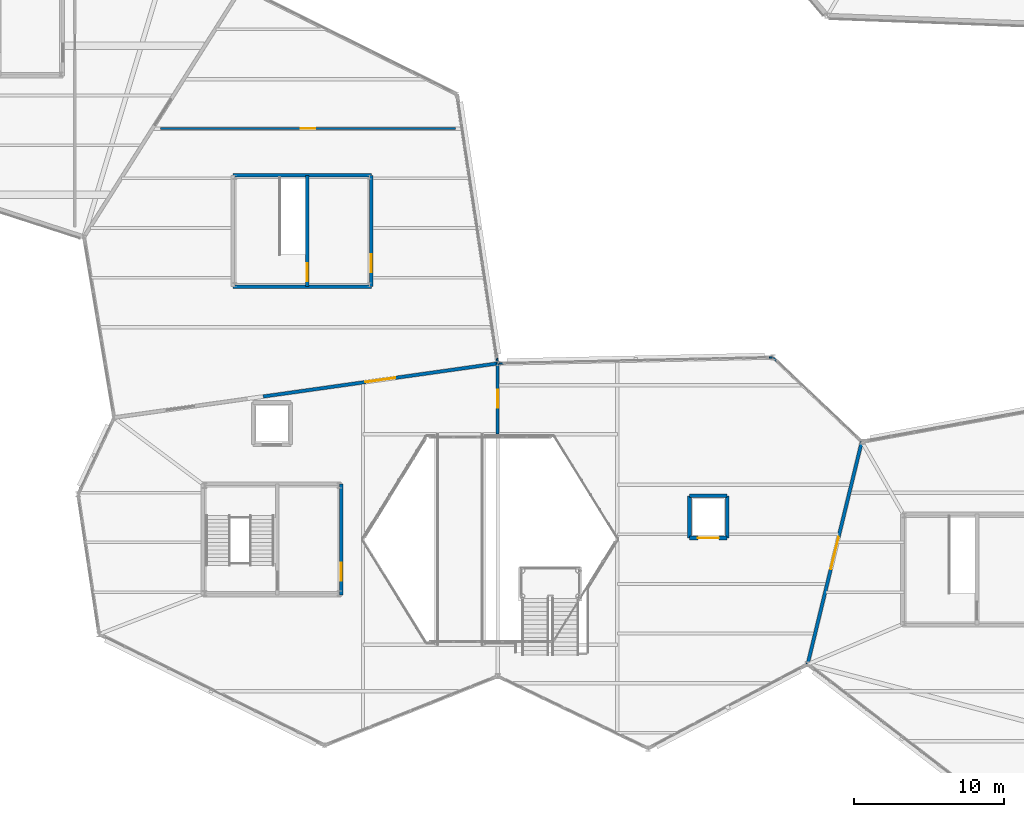
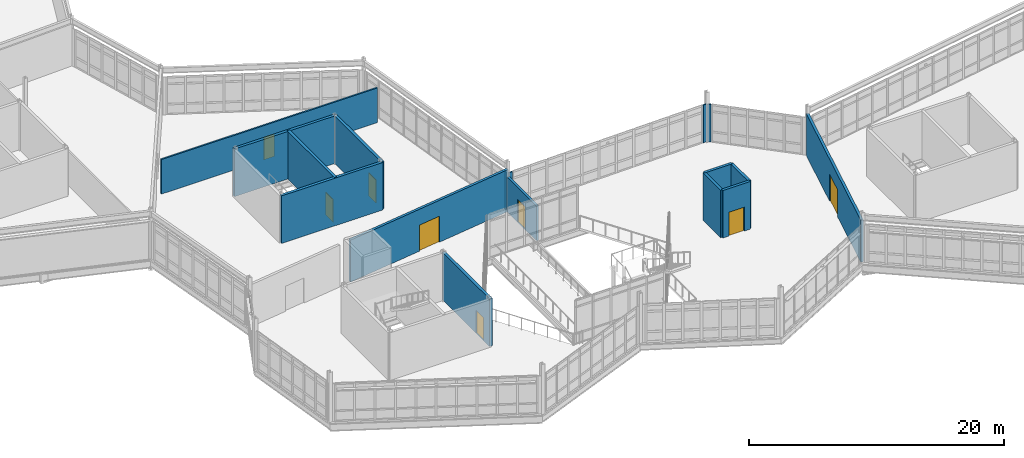
# One storey, part 60 of 76: 17 walls, 8 doors, 8 openings.
"""IFC4 building model written with IfcOpenShell, lengths in metres."""

from ifc_helpers import new_model, si_unit, direction, frame, frame_2d, origin, place, context, subcontext, project, spatial, rectangle, extrude, material, layer, layer_set, type_object, element, fill, save


model = new_model("IFC4")

# Units and contexts
model_context = context("Model", 3, precision=1e-05, world=origin(), true_north=direction((0.0, 1.0)))
body_context = subcontext(model_context, "Body", "Model", "MODEL_VIEW")
ifc_project = project(units=[si_unit("LENGTHUNIT", "METRE"), si_unit("AREAUNIT", "SQUARE_METRE"), si_unit("VOLUMEUNIT", "CUBIC_METRE"), si_unit("PLANEANGLEUNIT", "RADIAN"), si_unit("MASSUNIT", "GRAM", prefix="KILO")], contexts=[model_context])

# Site, building, storey
site_placement = place(None, origin())
site = spatial("IfcSite", under=ifc_project, at=site_placement, CompositionType="ELEMENT")
building_placement = place(site_placement, origin())
building = spatial("IfcBuilding", under=site, at=building_placement, Name="Tameran Prism Museum", CompositionType="ELEMENT")
storey_placement = place(building_placement, frame((0.0, 0.0, 15.0)))
storey = spatial("IfcBuildingStorey", under=building, at=storey_placement, Name="L03", CompositionType="ELEMENT", Elevation=15.0)

# Walls
ifc_material_1 = material(Name="Precast Concrete N40 (40 MPa)", Category="concrete")
ifc_layer_1 = layer(ifc_material_1, 0.094970703125)
ifc_layer_set_1 = layer_set([ifc_layer_1])
wall_type_1 = type_object("IfcWallType", Name="EW-CLOS-095", PredefinedType="SOLIDWALL", material=ifc_layer_set_1)
wall_1_placement = place(storey_placement, frame((95.830078125, 48.571044921875, 0.0), z_axis=(0.0, 0.0, 1.0), x_axis=(0.725848676719, -0.687854416651, 0.0)))
element("IfcWall", 1, at=wall_1_placement, inside=storey, type_object=wall_type_1, Name="Facade Corner Closure EW-0387", PredefinedType="SOLIDWALL", context=body_context, shape_type="SweptSolid", body=[
    extrude(rectangle(XDim=0.308349609375, YDim=0.094970703125, at=frame_2d((0.154296875, 0.0))), origin(), (0.0, 0.0, 1.0), 3.6201171875),
])
wall_2_placement = place(storey_placement, frame((77.60205078125, 48.201904296875, 0.0), z_axis=(0.0, 0.0, 1.0), x_axis=(0.999735659566, 0.022991541735, 0.0)))
element("IfcWall", 2, at=wall_2_placement, inside=storey, type_object=wall_type_1, Name="Facade Corner Closure EW-0389", PredefinedType="SOLIDWALL", context=body_context, shape_type="SweptSolid", body=[
    extrude(rectangle(XDim=0.307861328125, YDim=0.094970703125, at=frame_2d((0.15380859375, 0.0))), origin(), (0.0, 0.0, 1.0), 3.6201171875),
])
wall_3_placement = place(storey_placement, frame((95.449951171875, 48.592041015625, 0.0), z_axis=(0.0, 0.0, 1.0), x_axis=(0.999736078158, 0.022973333016, 0.0)))
element("IfcWall", 3, at=wall_3_placement, inside=storey, type_object=wall_type_1, Name="Facade Corner Closure EW-0390", PredefinedType="SOLIDWALL", context=body_context, shape_type="SweptSolid", body=[
    extrude(rectangle(XDim=0.30810546875, YDim=0.094970703125, at=frame_2d((0.154052734375, 0.0))), origin(), (0.0, 0.0, 1.0), 3.6201171875),
])
wall_4_placement = place(storey_placement, frame((77.43896484375, 48.60498046875, 0.0), z_axis=(0.0, 0.0, 1.0), x_axis=(0.15008766182, -0.988672692942, 0.0)))
element("IfcWall", 4, at=wall_4_placement, inside=storey, type_object=wall_type_1, Name="Facade Corner Closure EW-0394", PredefinedType="SOLIDWALL", context=body_context, shape_type="SweptSolid", body=[
    extrude(rectangle(XDim=0.307373046875, YDim=0.094970703125, at=frame_2d((0.15380859375, 0.0))), origin(), (0.0, 0.0, 1.0), 3.6201171875),
])

# Wall, opening, door
ifc_material_2 = material(Name="Concrete N32 (32 MPa)", Category="concrete")
ifc_layer_2 = layer(ifc_material_2, 0.205078125)
ifc_layer_set_2 = layer_set([ifc_layer_2])
wall_type_2 = type_object("IfcWallType", Name="IW-CMP-205", PredefinedType="SOLIDWALL", material=ifc_layer_set_2)
wall_5_placement = place(storey_placement, frame((77.5, 43.5, 0.0), z_axis=(0.0, 0.0, 1.0), x_axis=(0.0, 1.0, 0.0)))
wall_5 = element("IfcWall", 5, at=wall_5_placement, inside=storey, type_object=wall_type_2, Name="Compartment Wall IW-0139", PredefinedType="SOLIDWALL", context=body_context, shape_type="SweptSolid", body=[
    extrude(rectangle(XDim=4.699951171875, YDim=0.205078125, at=frame_2d((2.35009765625, 0.0))), origin(), (0.0, 0.0, 1.0), 3.320068359375),
])
opening_1_placement = place(wall_5_placement, frame((1.75, 0.0, 0.0)))
opening_1 = element("IfcOpeningElement", 6, at=opening_1_placement, cuts=wall_5, Name="Opening ID-0138", PredefinedType="OPENING", context=body_context, shape_type="SweptSolid", body=[
    extrude(rectangle(XDim=1.199951171875, YDim=2.199951171875, at=frame_2d((0.60009765625, 1.10009765625))), frame((0.0, 0.112548828125, 0.0), z_axis=(0.0, -1.0, 0.0), x_axis=(1.0, 0.0, 0.0)), (0.0, 0.0, 1.0), 0.22509765625),
])
ifc_material_3 = material(Name="Fire-Rated Steel Door Leaf and Frame", Category="steel")
door_type_1 = type_object("IfcDoorType", Name="DR-FD-120A", OperationType="NOTDEFINED", PredefinedType="DOOR", material=ifc_material_3)
door_1_placement = place(opening_1_placement, origin())
door_1 = element("IfcDoor", 7, at=door_1_placement, inside=storey, type_object=door_type_1, Name="Compartment Door ID-0138", OperationType="SINGLE_SWING_RIGHT", OverallHeight=2.199951171875, OverallWidth=1.199951171875, PredefinedType="DOOR", context=body_context, shape_type="SweptSolid", body=[
    extrude(rectangle(XDim=1.199951171875, YDim=2.199951171875, at=frame_2d((0.60009765625, 1.10009765625))), frame((0.0, 0.02490234375, 0.0), z_axis=(0.0, -1.0, 0.0), x_axis=(1.0, 0.0, 0.0)), (0.0, 0.0, 1.0), 0.050048828125),
])
fill(opening_1, door_1)

ifc_material_4 = material(Name="Concrete N40 (40 MPa)", Category="concrete")
ifc_layer_3 = layer(ifc_material_4, 0.22509765625)
ifc_layer_set_3 = layer_set([ifc_layer_3])
wall_type_3 = type_object("IfcWallType", Name="IW-CMP-225", PredefinedType="SOLIDWALL", material=ifc_layer_set_3)
wall_6_placement = place(storey_placement, frame((77.5, 48.199951171875, 0.0), z_axis=(0.0, 0.0, 1.0), x_axis=(-0.990181159322, -0.139790098807, 0.0)))
wall_6 = element("IfcWall", 8, at=wall_6_placement, inside=storey, type_object=wall_type_3, Name="Compartment Wall IW-0140", PredefinedType="SOLIDWALL", context=body_context, shape_type="SweptSolid", body=[
    extrude(rectangle(XDim=15.737548828125, YDim=0.22509765625, at=frame_2d((7.86865234375, 0.0))), origin(), (0.0, 0.0, 1.0), 4.02001953125),
])
opening_2_placement = place(wall_6_placement, frame((6.868896484375, 0.0, 0.0)))
opening_2 = element("IfcOpeningElement", 9, at=opening_2_placement, cuts=wall_6, Name="Opening ID-0139", PredefinedType="OPENING", context=body_context, shape_type="SweptSolid", body=[
    extrude(rectangle(XDim=2.0, YDim=2.5, at=frame_2d((1.0, 1.25))), frame((0.0, 0.12255859375, 0.0), z_axis=(0.0, -1.0, 0.0), x_axis=(1.0, 0.0, 0.0)), (0.0, 0.0, 1.0), 0.2451171875),
])
ifc_material_5 = material(Name="Fire-Rated Steel Door Leaf and Frame", Category="steel")
door_type_2 = type_object("IfcDoorType", Name="DR-GAL-200", OperationType="DOUBLE_DOOR_SINGLE_SWING", PredefinedType="DOOR", material=ifc_material_5)
door_2_placement = place(opening_2_placement, origin())
door_2 = element("IfcDoor", 10, at=door_2_placement, inside=storey, type_object=door_type_2, Name="Compartment Door ID-0139", OperationType="DOUBLE_DOOR_SINGLE_SWING", OverallHeight=2.5, OverallWidth=2.0, PredefinedType="DOOR", context=body_context, shape_type="SweptSolid", body=[
    extrude(rectangle(XDim=2.0, YDim=2.5, at=frame_2d((1.0, 1.25))), frame((0.0, 0.02490234375, 0.0), z_axis=(0.0, -1.0, 0.0), x_axis=(1.0, 0.0, 0.0)), (0.0, 0.0, 1.0), 0.050048828125),
])
fill(opening_2, door_2)

wall_7_placement = place(storey_placement, frame((98.10009765625, 28.199951171875, 0.0), z_axis=(0.0, 0.0, 1.0), x_axis=(0.236341762997, 0.971669990822, 0.0)))
wall_7 = element("IfcWall", 11, at=wall_7_placement, inside=storey, type_object=wall_type_3, Name="Compartment Wall IW-0142", PredefinedType="SOLIDWALL", context=body_context, shape_type="SweptSolid", body=[
    extrude(rectangle(XDim=15.2314453125, YDim=0.22509765625, at=frame_2d((7.61572265625, 0.0))), origin(), (0.0, 0.0, 1.0), 4.02001953125),
])
opening_3_placement = place(wall_7_placement, frame((6.51611328125, 0.0, 0.0)))
opening_3 = element("IfcOpeningElement", 12, at=opening_3_placement, cuts=wall_7, Name="Opening ID-0141", PredefinedType="OPENING", context=body_context, shape_type="SweptSolid", body=[
    extrude(rectangle(XDim=2.199951171875, YDim=2.60009765625, at=frame_2d((1.10009765625, 1.300048828125))), frame((0.0, 0.12255859375, 0.0), z_axis=(0.0, -1.0, 0.0), x_axis=(1.0, 0.0, 0.0)), (0.0, 0.0, 1.0), 0.2451171875),
])
ifc_material_6 = material(Name="Fire-Rated Steel Door Leaf and Frame", Category="steel")
door_type_3 = type_object("IfcDoorType", Name="DR-GAL-220", OperationType="DOUBLE_DOOR_SINGLE_SWING", PredefinedType="DOOR", material=ifc_material_6)
door_3_placement = place(opening_3_placement, origin())
door_3 = element("IfcDoor", 13, at=door_3_placement, inside=storey, type_object=door_type_3, Name="Compartment Door ID-0141", OperationType="DOUBLE_DOOR_SINGLE_SWING", OverallHeight=2.60009765625, OverallWidth=2.199951171875, PredefinedType="DOOR", context=body_context, shape_type="SweptSolid", body=[
    extrude(rectangle(XDim=2.199951171875, YDim=2.60009765625, at=frame_2d((1.10009765625, 1.300048828125))), frame((0.0, 0.02490234375, 0.0), z_axis=(0.0, -1.0, 0.0), x_axis=(1.0, 0.0, 0.0)), (0.0, 0.0, 1.0), 0.050048828125),
])
fill(opening_3, door_3)

ifc_material_7 = material(Name="Concrete N40 (40 MPa)", Category="concrete")
ifc_layer_4 = layer(ifc_material_7, 0.25)
ifc_layer_set_4 = layer_set([ifc_layer_4])
wall_type_4 = type_object("IfcWallType", Name="IW-COR-250", PredefinedType="SHEAR", material=ifc_layer_set_4)
wall_8_placement = place(storey_placement, frame((67.10009765625, 40.199951171875, 0.0), z_axis=(0.0, 0.0, 1.0), x_axis=(0.0, -1.0, 0.0)))
wall_8 = element("IfcWall", 14, at=wall_8_placement, inside=storey, type_object=wall_type_4, Name="Core Shear Wall CW-3-L03-E", PredefinedType="SHEAR", context=body_context, shape_type="SweptSolid", body=[
    extrude(rectangle(XDim=7.39990234375, YDim=0.25, at=frame_2d((3.699951171875, 0.0))), origin(), (0.0, 0.0, 1.0), 4.56005859375),
])
opening_4_placement = place(wall_8_placement, frame((5.25, 0.0, 0.0)))
opening_4 = element("IfcOpeningElement", 15, at=opening_4_placement, cuts=wall_8, Name="Opening FD-0219", PredefinedType="OPENING", context=body_context, shape_type="SweptSolid", body=[
    extrude(rectangle(XDim=1.199951171875, YDim=2.199951171875, at=frame_2d((0.60009765625, 1.10009765625))), frame((0.0, 0.135009765625, 0.0), z_axis=(0.0, -1.0, 0.0), x_axis=(1.0, 0.0, 0.0)), (0.0, 0.0, 1.0), 0.27001953125),
])
door_4_placement = place(opening_4_placement, origin())
door_4 = element("IfcDoor", 16, at=door_4_placement, inside=storey, type_object=door_type_1, Name="Core Fire Door FD-0219", OperationType="SINGLE_SWING_LEFT", OverallHeight=2.199951171875, OverallWidth=1.199951171875, PredefinedType="DOOR", context=body_context, shape_type="SweptSolid", body=[
    extrude(rectangle(XDim=1.199951171875, YDim=2.199951171875, at=frame_2d((0.60009765625, 1.10009765625))), frame((0.0, 0.02490234375, 0.0), z_axis=(0.0, -1.0, 0.0), x_axis=(1.0, 0.0, 0.0)), (0.0, 0.0, 1.0), 0.050048828125),
])
fill(opening_4, door_4)

# Walls
for number, where, z_axis, x_axis, name in (
    (17, (59.89990234375, 60.699951171875, 0.0), (0.0, 0.0, 1.0), (1.0, 0.0, 0.0), "Core Shear Wall CW-8-L03-N"),
    (18, (69.10009765625, 53.300048828125, 0.0), (0.0, 0.0, 1.0), (-1.0, 0.0, 0.0), "Core Shear Wall CW-8-L03-S"),
):
    element("IfcWall", number, at=place(storey_placement, frame(where, z_axis=z_axis, x_axis=x_axis)), inside=storey, type_object=wall_type_4, Name=name, PredefinedType="SHEAR", context=body_context, shape_type="SweptSolid", body=[
        extrude(rectangle(XDim=9.2001953125, YDim=0.25, at=frame_2d((4.60009765625, 0.0))), origin(), (0.0, 0.0, 1.0), 4.56005859375),
    ])

# Wall, opening, door
wall_9_placement = place(storey_placement, frame((69.10009765625, 60.699951171875, 0.0), z_axis=(0.0, 0.0, 1.0), x_axis=(0.0, -1.0, 0.0)))
wall_9 = element("IfcWall", 19, at=wall_9_placement, inside=storey, type_object=wall_type_4, Name="Core Shear Wall CW-8-L03-E", PredefinedType="SHEAR", context=body_context, shape_type="SweptSolid", body=[
    extrude(rectangle(XDim=7.39990234375, YDim=0.25, at=frame_2d((3.699951171875, 0.0))), origin(), (0.0, 0.0, 1.0), 4.56005859375),
])
opening_5_placement = place(wall_9_placement, frame((5.25, 0.0, 0.0)))
opening_5 = element("IfcOpeningElement", 20, at=opening_5_placement, cuts=wall_9, Name="Opening FD-0231", PredefinedType="OPENING", context=body_context, shape_type="SweptSolid", body=[
    extrude(rectangle(XDim=1.199951171875, YDim=2.199951171875, at=frame_2d((0.60009765625, 1.10009765625))), frame((0.0, 0.135009765625, 0.0), z_axis=(0.0, -1.0, 0.0), x_axis=(1.0, 0.0, 0.0)), (0.0, 0.0, 1.0), 0.27001953125),
])
door_5_placement = place(opening_5_placement, origin())
door_5 = element("IfcDoor", 21, at=door_5_placement, inside=storey, type_object=door_type_1, Name="Core Fire Door FD-0231", OperationType="SINGLE_SWING_LEFT", OverallHeight=2.199951171875, OverallWidth=1.199951171875, PredefinedType="DOOR", context=body_context, shape_type="SweptSolid", body=[
    extrude(rectangle(XDim=1.199951171875, YDim=2.199951171875, at=frame_2d((0.60009765625, 1.10009765625))), frame((0.0, 0.02490234375, 0.0), z_axis=(0.0, -1.0, 0.0), x_axis=(1.0, 0.0, 0.0)), (0.0, 0.0, 1.0), 0.050048828125),
])
fill(opening_5, door_5)

wall_10_placement = place(storey_placement, frame((64.85009765625, 60.699951171875, 0.0), z_axis=(0.0, 0.0, 1.0), x_axis=(0.0, -1.0, 0.0)))
wall_10 = element("IfcWall", 22, at=wall_10_placement, inside=storey, type_object=wall_type_4, Name="Core Shear Wall CW-8-L03-M", PredefinedType="SHEAR", context=body_context, shape_type="SweptSolid", body=[
    extrude(rectangle(XDim=7.39990234375, YDim=0.25, at=frame_2d((3.699951171875, 0.0))), origin(), (0.0, 0.0, 1.0), 4.56005859375),
])
opening_6_placement = place(wall_10_placement, frame((5.85009765625, 0.0, 0.0)))
opening_6 = element("IfcOpeningElement", 23, at=opening_6_placement, cuts=wall_10, Name="Opening FD-0232", PredefinedType="OPENING", context=body_context, shape_type="SweptSolid", body=[
    extrude(rectangle(XDim=1.199951171875, YDim=2.199951171875, at=frame_2d((0.60009765625, 1.10009765625))), frame((0.0, 0.135009765625, 0.0), z_axis=(0.0, -1.0, 0.0), x_axis=(1.0, 0.0, 0.0)), (0.0, 0.0, 1.0), 0.27001953125),
])
door_6_placement = place(opening_6_placement, origin())
door_6 = element("IfcDoor", 24, at=door_6_placement, inside=storey, type_object=door_type_1, Name="Core Fire Door FD-0232", OperationType="SINGLE_SWING_RIGHT", OverallHeight=2.199951171875, OverallWidth=1.199951171875, PredefinedType="DOOR", context=body_context, shape_type="SweptSolid", body=[
    extrude(rectangle(XDim=1.199951171875, YDim=2.199951171875, at=frame_2d((0.60009765625, 1.10009765625))), frame((0.0, 0.02490234375, 0.0), z_axis=(0.0, -1.0, 0.0), x_axis=(1.0, 0.0, 0.0)), (0.0, 0.0, 1.0), 0.050048828125),
])
fill(opening_6, door_6)

# Walls
ifc_material_8 = material(Name="Concrete N40 (40 MPa)", Category="concrete")
ifc_layer_5 = layer(ifc_material_8, 0.239990234375)
ifc_layer_set_5 = layer_set([ifc_layer_5])
wall_type_5 = type_object("IfcWallType", Name="IW-LFT-240", PredefinedType="SHEAR", material=ifc_layer_set_5)
wall_11_placement = place(storey_placement, frame((90.25, 39.39990234375, 0.0), z_axis=(0.0, 0.0, 1.0), x_axis=(1.0, 0.0, 0.0)))
element("IfcWall", 25, at=wall_11_placement, inside=storey, type_object=wall_type_5, Name="Lift Shaft Wall LW-PL02-L03N", PredefinedType="SHEAR", context=body_context, shape_type="SweptSolid", body=[
    extrude(rectangle(XDim=2.5, YDim=0.239990234375, at=frame_2d((1.25, 0.0))), origin(), (0.0, 0.0, 1.0), 4.56005859375),
])
for number, where, z_axis, x_axis, name in (
    (26, (92.75, 39.39990234375, 0.0), (0.0, 0.0, 1.0), (0.0, -1.0, 0.0), "Lift Shaft Wall LW-PL02-L03E"),
    (27, (90.25, 36.60009765625, 0.0), (0.0, 0.0, 1.0), (0.0, 1.0, 0.0), "Lift Shaft Wall LW-PL02-L03W"),
):
    element("IfcWall", number, at=place(storey_placement, frame(where, z_axis=z_axis, x_axis=x_axis)), inside=storey, type_object=wall_type_5, Name=name, PredefinedType="SHEAR", context=body_context, shape_type="SweptSolid", body=[
        extrude(rectangle(XDim=2.7998046875, YDim=0.239990234375, at=frame_2d((1.39990234375, 0.0))), origin(), (0.0, 0.0, 1.0), 4.56005859375),
    ])

# Wall, opening, door
wall_12_placement = place(storey_placement, frame((92.75, 36.60009765625, 0.0), z_axis=(0.0, 0.0, 1.0), x_axis=(-1.0, 0.0, 0.0)))
wall_12 = element("IfcWall", 28, at=wall_12_placement, inside=storey, type_object=wall_type_5, Name="Lift Shaft Wall LW-PL02-L03S", PredefinedType="SHEAR", context=body_context, shape_type="SweptSolid", body=[
    extrude(rectangle(XDim=2.5, YDim=0.239990234375, at=frame_2d((1.25, 0.0))), origin(), (0.0, 0.0, 1.0), 4.56005859375),
])
opening_7_placement = place(wall_12_placement, frame((0.550048828125, 0.0, 0.0)))
opening_7 = element("IfcOpeningElement", 29, at=opening_7_placement, cuts=wall_12, Name="Opening LD-PL02-L03", PredefinedType="OPENING", context=body_context, shape_type="SweptSolid", body=[
    extrude(rectangle(XDim=1.39990234375, YDim=2.300048828125, at=frame_2d((0.699951171875, 1.14990234375))), frame((0.0, 0.1298828125, 0.0), z_axis=(0.0, -1.0, 0.0), x_axis=(1.0, 0.0, 0.0)), (0.0, 0.0, 1.0), 0.260009765625),
])
ifc_material_9 = material(Name="Fire-Rated Steel Door Leaf and Frame", Category="steel")
door_type_4 = type_object("IfcDoorType", Name="DR-LD-PL2", OperationType="SLIDING_TO_LEFT", PredefinedType="DOOR", material=ifc_material_9)
door_7_placement = place(opening_7_placement, origin())
door_7 = element("IfcDoor", 30, at=door_7_placement, inside=storey, type_object=door_type_4, Name="Passenger Lift PL-02 Landing Door L03", OperationType="SLIDING_TO_LEFT", OverallHeight=2.300048828125, OverallWidth=1.39990234375, PredefinedType="DOOR", context=body_context, shape_type="SweptSolid", body=[
    extrude(rectangle(XDim=1.39990234375, YDim=2.300048828125, at=frame_2d((0.699951171875, 1.14990234375))), frame((0.0, 0.02490234375, 0.0), z_axis=(0.0, -1.0, 0.0), x_axis=(1.0, 0.0, 0.0)), (0.0, 0.0, 1.0), 0.050048828125),
])
fill(opening_7, door_7)

ifc_material_10 = material(Name="Acoustic Seminar Stud Partition")
ifc_layer_6 = layer(ifc_material_10, 0.139892578125)
ifc_layer_set_6 = layer_set([ifc_layer_6])
wall_type_6 = type_object("IfcWallType", Name="IW-PRT-140", PredefinedType="PARTITIONING", material=ifc_layer_set_6)
wall_13_placement = place(storey_placement, frame((55.094970703125, 63.81298828125, 0.0), z_axis=(0.0, 0.0, 1.0), x_axis=(1.0, 0.0, 0.0)))
wall_13 = element("IfcWall", 31, at=wall_13_placement, inside=storey, type_object=wall_type_6, Name="Internal Partition PT-0148", PredefinedType="PARTITIONING", context=body_context, shape_type="SweptSolid", body=[
    extrude(rectangle(XDim=19.594970703125, YDim=0.139892578125, at=frame_2d((9.79736328125, 0.0))), origin(), (0.0, 0.0, 1.0), 3.320068359375),
])
opening_8_placement = place(wall_13_placement, frame((9.306884765625, 0.0, 0.0)))
opening_8 = element("IfcOpeningElement", 32, at=opening_8_placement, cuts=wall_13, Name="Opening ID-0147", PredefinedType="OPENING", context=body_context, shape_type="SweptSolid", body=[
    extrude(rectangle(XDim=0.97998046875, YDim=2.14990234375, at=frame_2d((0.489990234375, 1.074951171875))), frame((0.0, 0.079833984375, 0.0), z_axis=(0.0, -1.0, 0.0), x_axis=(1.0, 0.0, 0.0)), (0.0, 0.0, 1.0), 0.159912109375),
])
ifc_material_11 = material(Name="Acoustic Solid-Core Timber Door", Category="wood")
door_type_5 = type_object("IfcDoorType", Name="DR-INT-098", OperationType="NOTDEFINED", PredefinedType="DOOR", material=ifc_material_11)
door_8_placement = place(opening_8_placement, origin())
door_8 = element("IfcDoor", 33, at=door_8_placement, inside=storey, type_object=door_type_5, Name="Interior Room Door ID-0147", OperationType="SINGLE_SWING_LEFT", OverallHeight=2.14990234375, OverallWidth=0.97998046875, PredefinedType="DOOR", context=body_context, shape_type="SweptSolid", body=[
    extrude(rectangle(XDim=0.97998046875, YDim=2.14990234375, at=frame_2d((0.489990234375, 1.074951171875))), frame((0.0, 0.02490234375, 0.0), z_axis=(0.0, -1.0, 0.0), x_axis=(1.0, 0.0, 0.0)), (0.0, 0.0, 1.0), 0.050048828125),
])
fill(opening_8, door_8)

save(model, "model.ifc")
